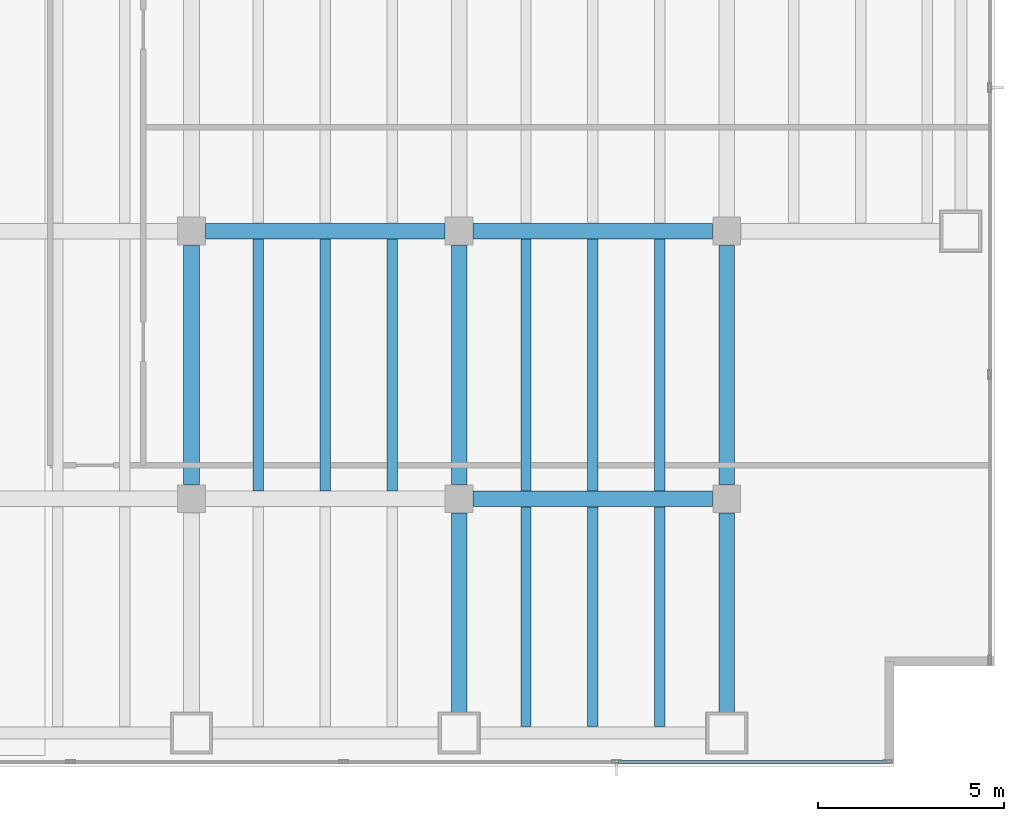
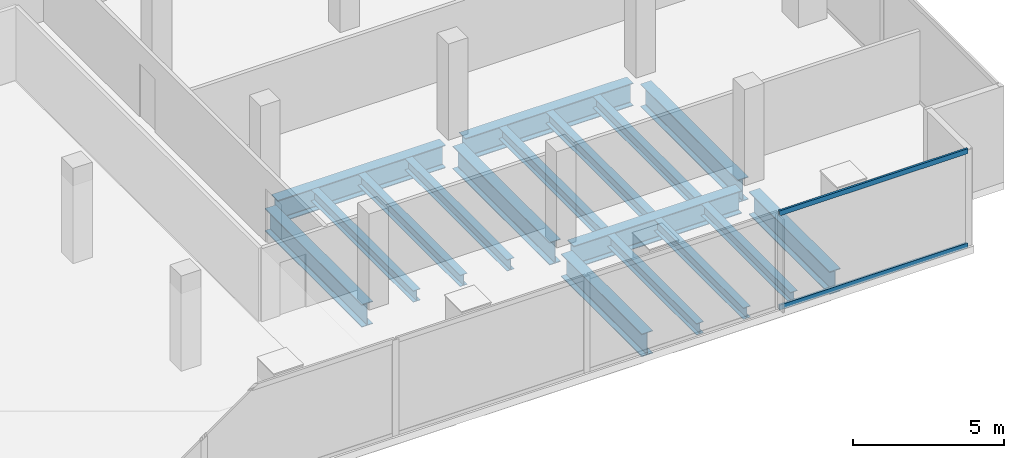
# One storey, part 17 of 32: 17 beams, 2 members, 1 element without a shape of its own.
"""IFC4 building model written with IfcOpenShell, lengths in metres."""

from ifc_helpers import new_model, si_unit, direction, frame, origin, origin_2d, place, context, subcontext, project, spatial, hollow_rectangle, i_section, extrude, material, material_profile, profile_set, type_object, element, aggregate, save


model = new_model("IFC4")

# Units and contexts
model_context = context("Model", 3, precision=1e-05, world=origin(), true_north=direction((0.0, 1.0)))
body_context = subcontext(model_context, "Body", "Model", "MODEL_VIEW")
ifc_project = project(units=[si_unit("LENGTHUNIT", "METRE"), si_unit("AREAUNIT", "SQUARE_METRE"), si_unit("VOLUMEUNIT", "CUBIC_METRE"), si_unit("PLANEANGLEUNIT", "RADIAN"), si_unit("MASSUNIT", "GRAM", prefix="KILO")], contexts=[model_context])

# Site, building, storey
site_placement = place(None, origin())
site = spatial("IfcSite", under=ifc_project, at=site_placement, CompositionType="ELEMENT")
building_placement = place(site_placement, origin())
building = spatial("IfcBuilding", under=site, at=building_placement, Name="Cobrela Telecom Tower", CompositionType="ELEMENT")
storey_placement = place(building_placement, frame((0.0, 0.0, 22.050048828125)))
storey = spatial("IfcBuildingStorey", under=building, at=storey_placement, Name="L05", CompositionType="ELEMENT", Elevation=22.050048828125)

# Beams
ifc_material_1 = material(Name="Steel ASTM A992 Grade 50", Category="steel")
ifc_material_profile_1 = material_profile(ifc_material_1, i_section(OverallWidth=0.4189453125, OverallDepth=0.927001953125, WebThickness=0.019287109375, FlangeThickness=0.031982421875, FilletRadius=0.02392578125, at=origin_2d()), Name="W36X231")
ifc_profile_set_1 = profile_set([ifc_material_profile_1], Name="Steel ASTM A992 Grade 50")
beam_type_1 = type_object("IfcBeamType", Name="BM-GIRD-02", PredefinedType="USERDEFINED", material=ifc_profile_set_1)
for number, where, z_axis, x_axis, name in (
    (1, (72.3798828125, 7.199951171875, -0.753662109375), (1.0, 0.0, 0.0), (0.0, 1.0, 0.0), "L05 Primary Girder X19"),
    (2, (65.179931640625, 14.39990234375, -0.753662109375), (1.0, 0.0, 0.0), (0.0, 1.0, 0.0), "L05 Primary Girder X26"),
    (3, (72.3798828125, 14.39990234375, -0.753662109375), (1.0, 0.0, 0.0), (0.0, 1.0, 0.0), "L05 Primary Girder X27"),
):
    element("IfcBeam", number, at=place(storey_placement, frame(where, z_axis=z_axis, x_axis=x_axis)), inside=storey, type_object=beam_type_1, Name=name, ObjectType="GIRDER", PredefinedType="USERDEFINED", context=body_context, shape_type="SweptSolid", body=[
        extrude(i_section(OverallWidth=0.4189453125, OverallDepth=0.927001953125, WebThickness=0.019287109375, FlangeThickness=0.031982421875, FilletRadius=0.02392578125, at=origin_2d()), origin(), (0.0, 0.0, 1.0), 6.440185546875),
    ])
beam_1_placement = place(storey_placement, frame((64.800048828125, 7.580078125, -0.753662109375), z_axis=(0.0, 1.0, 0.0), x_axis=(-1.0, 0.0, 0.0)))
element("IfcBeam", 4, at=beam_1_placement, inside=storey, type_object=beam_type_1, Name="L05 Primary Girder Y92", ObjectType="GIRDER", PredefinedType="USERDEFINED", context=body_context, shape_type="SweptSolid", body=[
    extrude(i_section(OverallWidth=0.4189453125, OverallDepth=0.927001953125, WebThickness=0.019287109375, FlangeThickness=0.031982421875, FilletRadius=0.02392578125, at=origin_2d()), origin(), (0.0, 0.0, 1.0), 6.43994140625),
])
beam_2_placement = place(storey_placement, frame((72.0, 1.455078125, -0.753662109375), z_axis=(0.0, 1.0, 0.0), x_axis=(-1.0, 0.0, 0.0)))
element("IfcBeam", 5, at=beam_2_placement, inside=storey, type_object=beam_type_1, Name="L05 Primary Girder Y94", ObjectType="GIRDER", PredefinedType="USERDEFINED", context=body_context, shape_type="SweptSolid", body=[
    extrude(i_section(OverallWidth=0.4189453125, OverallDepth=0.927001953125, WebThickness=0.019287109375, FlangeThickness=0.031982421875, FilletRadius=0.02392578125, at=origin_2d()), origin(), (0.0, 0.0, 1.0), 5.364990234375),
])
beam_3_placement = place(storey_placement, frame((72.0, 7.580078125, -0.753662109375), z_axis=(0.0, 1.0, 0.0), x_axis=(-1.0, 0.0, 0.0)))
element("IfcBeam", 6, at=beam_3_placement, inside=storey, type_object=beam_type_1, Name="L05 Primary Girder Y95", ObjectType="GIRDER", PredefinedType="USERDEFINED", context=body_context, shape_type="SweptSolid", body=[
    extrude(i_section(OverallWidth=0.4189453125, OverallDepth=0.927001953125, WebThickness=0.019287109375, FlangeThickness=0.031982421875, FilletRadius=0.02392578125, at=origin_2d()), origin(), (0.0, 0.0, 1.0), 6.43994140625),
])
beam_4_placement = place(storey_placement, frame((79.199951171875, 1.455078125, -0.753662109375), z_axis=(0.0, 1.0, 0.0), x_axis=(-1.0, 0.0, 0.0)))
element("IfcBeam", 7, at=beam_4_placement, inside=storey, type_object=beam_type_1, Name="L05 Primary Girder Y97", ObjectType="GIRDER", PredefinedType="USERDEFINED", context=body_context, shape_type="SweptSolid", body=[
    extrude(i_section(OverallWidth=0.4189453125, OverallDepth=0.927001953125, WebThickness=0.019287109375, FlangeThickness=0.031982421875, FilletRadius=0.02392578125, at=origin_2d()), origin(), (0.0, 0.0, 1.0), 5.364990234375),
])
beam_5_placement = place(storey_placement, frame((79.199951171875, 7.580078125, -0.753662109375), z_axis=(0.0, 1.0, 0.0), x_axis=(-1.0, 0.0, 0.0)))
element("IfcBeam", 8, at=beam_5_placement, inside=storey, type_object=beam_type_1, Name="L05 Primary Girder Y98", ObjectType="GIRDER", PredefinedType="USERDEFINED", context=body_context, shape_type="SweptSolid", body=[
    extrude(i_section(OverallWidth=0.4189453125, OverallDepth=0.927001953125, WebThickness=0.019287109375, FlangeThickness=0.031982421875, FilletRadius=0.02392578125, at=origin_2d()), origin(), (0.0, 0.0, 1.0), 6.43994140625),
])
ifc_material_profile_2 = material_profile(ifc_material_1, i_section(OverallWidth=0.281982421875, OverallDepth=0.467041015625, WebThickness=0.01220703125, FlangeThickness=0.01953125, FilletRadius=0.012939453125, at=origin_2d()), Name="W18X86")
ifc_profile_set_2 = profile_set([ifc_material_profile_2], Name="Steel ASTM A992 Grade 50")
beam_type_2 = type_object("IfcBeamType", Name="BM-JOIST-02", PredefinedType="JOIST", material=ifc_profile_set_2)
for number, where, z_axis, x_axis, name in (
    (9, (66.60009765625, 7.41455078125, -0.5234375), (0.0, 1.0, 0.0), (-1.0, 0.0, 0.0), "L05 Secondary Composite Floor Beam J119"),
    (10, (68.39990234375, 7.41455078125, -0.5234375), (0.0, 1.0, 0.0), (-1.0, 0.0, 0.0), "L05 Secondary Composite Floor Beam J122"),
    (11, (70.199951171875, 7.41455078125, -0.5234375), (0.0, 1.0, 0.0), (-1.0, 0.0, 0.0), "L05 Secondary Composite Floor Beam J125"),
):
    element("IfcBeam", number, at=place(storey_placement, frame(where, z_axis=z_axis, x_axis=x_axis)), inside=storey, type_object=beam_type_2, Name=name, PredefinedType="JOIST", context=body_context, shape_type="SweptSolid", body=[
        extrude(i_section(OverallWidth=0.281982421875, OverallDepth=0.467041015625, WebThickness=0.01220703125, FlangeThickness=0.01953125, FilletRadius=0.012939453125, at=origin_2d()), origin(), (0.0, 0.0, 1.0), 6.77099609375),
    ])
beam_6_placement = place(storey_placement, frame((73.800048828125, 1.0673828125, -0.5234375), z_axis=(0.0, 1.0, 0.0), x_axis=(-1.0, 0.0, 0.0)))
element("IfcBeam", 12, at=beam_6_placement, inside=storey, type_object=beam_type_2, Name="L05 Secondary Composite Floor Beam J127", PredefinedType="JOIST", context=body_context, shape_type="SweptSolid", body=[
    extrude(i_section(OverallWidth=0.281982421875, OverallDepth=0.467041015625, WebThickness=0.01220703125, FlangeThickness=0.01953125, FilletRadius=0.012939453125, at=origin_2d()), origin(), (0.0, 0.0, 1.0), 5.918212890625),
])
beam_7_placement = place(storey_placement, frame((73.800048828125, 7.41455078125, -0.5234375), z_axis=(0.0, 1.0, 0.0), x_axis=(-1.0, 0.0, 0.0)))
element("IfcBeam", 13, at=beam_7_placement, inside=storey, type_object=beam_type_2, Name="L05 Secondary Composite Floor Beam J128", PredefinedType="JOIST", context=body_context, shape_type="SweptSolid", body=[
    extrude(i_section(OverallWidth=0.281982421875, OverallDepth=0.467041015625, WebThickness=0.01220703125, FlangeThickness=0.01953125, FilletRadius=0.012939453125, at=origin_2d()), origin(), (0.0, 0.0, 1.0), 6.77099609375),
])
beam_8_placement = place(storey_placement, frame((75.60009765625, 1.0673828125, -0.5234375), z_axis=(0.0, 1.0, 0.0), x_axis=(-1.0, 0.0, 0.0)))
element("IfcBeam", 14, at=beam_8_placement, inside=storey, type_object=beam_type_2, Name="L05 Secondary Composite Floor Beam J130", PredefinedType="JOIST", context=body_context, shape_type="SweptSolid", body=[
    extrude(i_section(OverallWidth=0.281982421875, OverallDepth=0.467041015625, WebThickness=0.01220703125, FlangeThickness=0.01953125, FilletRadius=0.012939453125, at=origin_2d()), origin(), (0.0, 0.0, 1.0), 5.918212890625),
])
beam_9_placement = place(storey_placement, frame((75.60009765625, 7.41455078125, -0.5234375), z_axis=(0.0, 1.0, 0.0), x_axis=(-1.0, 0.0, 0.0)))
element("IfcBeam", 15, at=beam_9_placement, inside=storey, type_object=beam_type_2, Name="L05 Secondary Composite Floor Beam J131", PredefinedType="JOIST", context=body_context, shape_type="SweptSolid", body=[
    extrude(i_section(OverallWidth=0.281982421875, OverallDepth=0.467041015625, WebThickness=0.01220703125, FlangeThickness=0.01953125, FilletRadius=0.012939453125, at=origin_2d()), origin(), (0.0, 0.0, 1.0), 6.77099609375),
])
beam_10_placement = place(storey_placement, frame((77.39990234375, 1.0673828125, -0.5234375), z_axis=(0.0, 1.0, 0.0), x_axis=(-1.0, 0.0, 0.0)))
element("IfcBeam", 16, at=beam_10_placement, inside=storey, type_object=beam_type_2, Name="L05 Secondary Composite Floor Beam J133", PredefinedType="JOIST", context=body_context, shape_type="SweptSolid", body=[
    extrude(i_section(OverallWidth=0.281982421875, OverallDepth=0.467041015625, WebThickness=0.01220703125, FlangeThickness=0.01953125, FilletRadius=0.012939453125, at=origin_2d()), origin(), (0.0, 0.0, 1.0), 5.918212890625),
])
beam_11_placement = place(storey_placement, frame((77.39990234375, 7.41455078125, -0.5234375), z_axis=(0.0, 1.0, 0.0), x_axis=(-1.0, 0.0, 0.0)))
element("IfcBeam", 17, at=beam_11_placement, inside=storey, type_object=beam_type_2, Name="L05 Secondary Composite Floor Beam J134", PredefinedType="JOIST", context=body_context, shape_type="SweptSolid", body=[
    extrude(i_section(OverallWidth=0.281982421875, OverallDepth=0.467041015625, WebThickness=0.01220703125, FlangeThickness=0.01953125, FilletRadius=0.012939453125, at=origin_2d()), origin(), (0.0, 0.0, 1.0), 6.77099609375),
])

# Curtain wall, members
ifc_material_2 = material(Name="Anodized Bronze Aluminium 6063-T6", Category="aluminium")
curtain_wall_type = type_object("IfcCurtainWallType", Name="CW-SYS-CONC", PredefinedType="USERDEFINED", material=ifc_material_2)
curtain_wall_placement = place(storey_placement, origin())
curtain_wall = element("IfcCurtainWall", 18, at=curtain_wall_placement, inside=storey, type_object=curtain_wall_type, Name="L05 Unitised Bronze Curtain Wall 17", ObjectType="UNITISED CURTAIN WALL", PredefinedType="USERDEFINED")
ifc_material_profile_3 = material_profile(ifc_material_2, hollow_rectangle(XDim=0.080078125, YDim=0.199951171875, WallThickness=0.00390625, at=origin_2d()), Name="ALU 80x200x4")
ifc_profile_set_3 = profile_set([ifc_material_profile_3], Name="Anodized Bronze Aluminium 6063-T6")
member_type = type_object("IfcMemberType", Name="CW-SYS-CONC-TRN", PredefinedType="USERDEFINED", material=ifc_profile_set_3)
member_1_placement = place(storey_placement, frame((83.5, 0.1201171875, 0.0400390625), z_axis=(-1.0, 0.0, 0.0), x_axis=(0.0, -1.0, 0.0)))
member_1 = element("IfcMember", 19, at=member_1_placement, type_object=member_type, Name="CW-CONC transom 1.1", ObjectType="TRANSOM", PredefinedType="USERDEFINED", context=body_context, shape_type="SweptSolid", body=[
    extrude(hollow_rectangle(XDim=0.080078125, YDim=0.199951171875, WallThickness=0.00390625, at=origin_2d()), origin(), (0.0, 0.0, 1.0), 7.221923828125),
])
member_2_placement = place(storey_placement, frame((83.5, 0.1201171875, 3.85986328125), z_axis=(-1.0, 0.0, 0.0), x_axis=(0.0, -1.0, 0.0)))
member_2 = element("IfcMember", 20, at=member_2_placement, type_object=member_type, Name="CW-CONC transom 1.2", ObjectType="TRANSOM", PredefinedType="USERDEFINED", context=body_context, shape_type="SweptSolid", body=[
    extrude(hollow_rectangle(XDim=0.080078125, YDim=0.199951171875, WallThickness=0.00390625, at=origin_2d()), origin(), (0.0, 0.0, 1.0), 7.221923828125),
])
aggregate(curtain_wall, [member_1, member_2])

save(model, "model.ifc")
